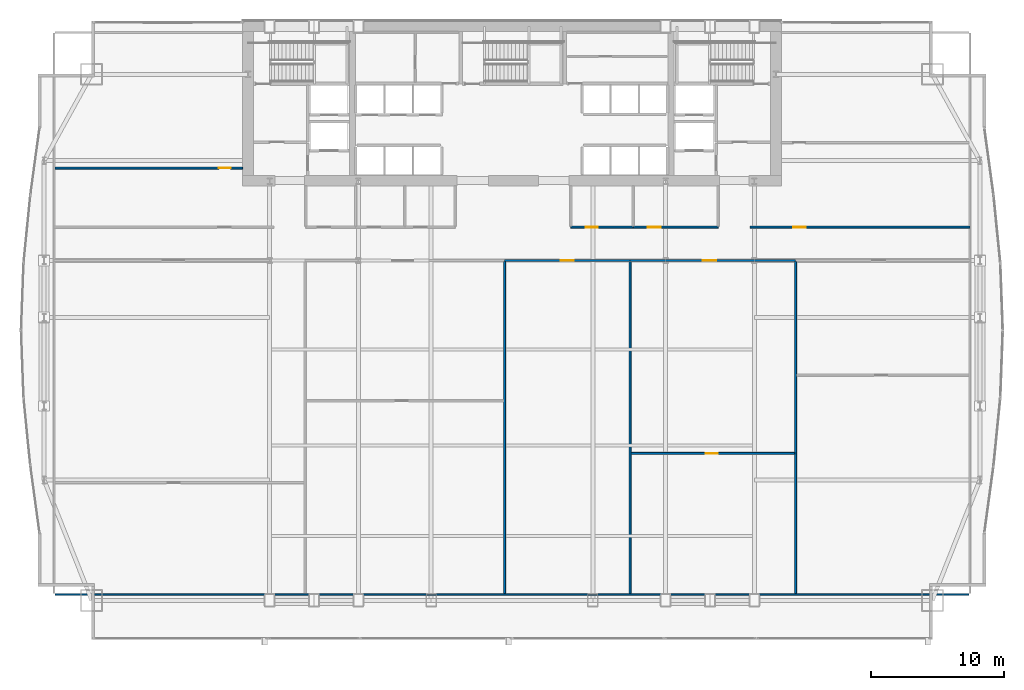
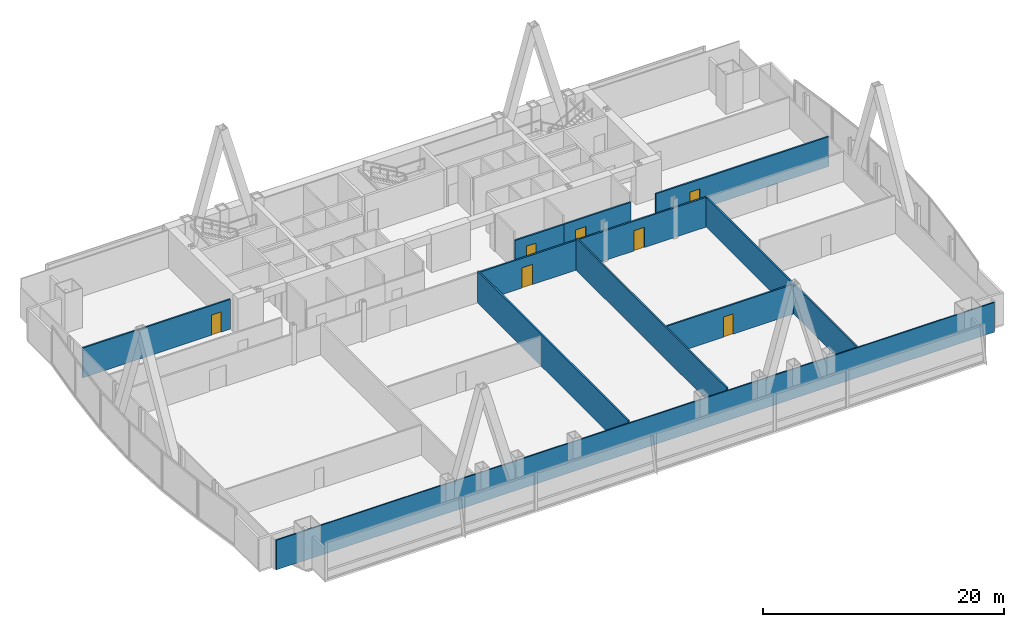
# One storey, part 29 of 35: 11 walls, 7 doors, 7 openings.
"""IFC4 building model written with IfcOpenShell, lengths in metres."""

from ifc_helpers import new_model, si_unit, direction, frame, frame_2d, origin, place, context, subcontext, project, spatial, rectangle, extrude, material, layer, layer_set, type_object, element, fill, save


model = new_model("IFC4")

# Units and contexts
model_context = context("Model", 3, precision=1e-05, world=origin(), true_north=direction((0.0, 1.0)))
body_context = subcontext(model_context, "Body", "Model", "MODEL_VIEW")
ifc_project = project(units=[si_unit("LENGTHUNIT", "METRE"), si_unit("AREAUNIT", "SQUARE_METRE"), si_unit("VOLUMEUNIT", "CUBIC_METRE"), si_unit("PLANEANGLEUNIT", "RADIAN"), si_unit("MASSUNIT", "GRAM", prefix="KILO")], contexts=[model_context])

# Site, building, storey
site_placement = place(None, origin())
site = spatial("IfcSite", under=ifc_project, at=site_placement, CompositionType="ELEMENT")
building_placement = place(site_placement, origin())
building = spatial("IfcBuilding", under=site, at=building_placement, Name="Khoronbel Lancet Exchange", CompositionType="ELEMENT")
storey_placement = place(building_placement, frame((0.0, 0.0, 37.800048828125)))
storey = spatial("IfcBuildingStorey", under=building, at=storey_placement, Name="L08", CompositionType="ELEMENT", Elevation=37.800048828125)

# Wall, opening, door
ifc_material_1 = material(Name="Acoustic Metal-Stud & Mineral-Wool Gypsum Partition 120 mm", Category="gypsum")
ifc_layer_1 = layer(ifc_material_1, 0.1201171875, Name="Acoustic Metal-Stud & Mineral-Wool Gypsum Partition 120 mm")
ifc_layer_set_1 = layer_set([ifc_layer_1], Name="Acoustic Metal-Stud & Mineral-Wool Gypsum Partition 120 mm")
wall_type_1 = type_object("IfcWallType", Name="WL-PRT120", PredefinedType="PARTITIONING", material=ifc_layer_set_1)
wall_1_placement = place(storey_placement, frame((2.094970703125, 42.64990234375, 0.0), z_axis=(0.0, 0.0, 1.0), x_axis=(1.0, 0.0, 0.0)))
wall_1 = element("IfcWall", 1, at=wall_1_placement, inside=storey, type_object=wall_type_1, Name="Level L08 interior partition PW-NW-H", PredefinedType="PARTITIONING", context=body_context, shape_type="SweptSolid", body=[
    extrude(rectangle(XDim=14.10498046875, YDim=0.14990234375, at=frame_2d((7.052490234375, 0.0))), origin(), (0.0, 0.0, 1.0), 3.010009765625),
])
opening_1_placement = place(wall_1_placement, frame((12.320068359375, 0.0, 0.0)))
opening_1 = element("IfcOpeningElement", 2, at=opening_1_placement, cuts=wall_1, Name="Opening D5", PredefinedType="OPENING", context=body_context, shape_type="SweptSolid", body=[
    extrude(rectangle(XDim=0.89990234375, YDim=2.050048828125, at=frame_2d((0.449951171875, 1.02490234375))), frame((0.0, 0.0849609375, 0.0), z_axis=(0.0, -1.0, 0.0), x_axis=(1.0, 0.0, 0.0)), (0.0, 0.0, 1.0), 0.169921875),
])
ifc_material_2 = material(Name="Acoustic Timber Pantry & Support Door", Category="wood")
door_type_1 = type_object("IfcDoorType", Name="DR-D5", OperationType="NOTDEFINED", PredefinedType="DOOR", material=ifc_material_2)
door_1_placement = place(opening_1_placement, origin())
door_1 = element("IfcDoor", 3, at=door_1_placement, inside=storey, type_object=door_type_1, Name="NW north room door L08-1", OperationType="SINGLE_SWING_RIGHT", OverallHeight=2.050048828125, OverallWidth=0.89990234375, PredefinedType="DOOR", context=body_context, shape_type="SweptSolid", body=[
    extrude(rectangle(XDim=0.89990234375, YDim=2.050048828125, at=frame_2d((0.449951171875, 1.02490234375))), frame((0.0, 0.02490234375, 0.0), z_axis=(0.0, -1.0, 0.0), x_axis=(1.0, 0.0, 0.0)), (0.0, 0.0, 1.0), 0.050048828125),
])
fill(opening_1, door_1)

wall_2_placement = place(storey_placement, frame((45.402099609375, 21.19580078125, 0.0), z_axis=(0.0, 0.0, 1.0), x_axis=(1.0, 0.0, 0.0)))
wall_2 = element("IfcWall", 4, at=wall_2_placement, inside=storey, type_object=wall_type_1, Name="Level L08 interior partition PW-Z1S-H4", PredefinedType="PARTITIONING", context=body_context, shape_type="SweptSolid", body=[
    extrude(rectangle(XDim=12.2900390625, YDim=0.14990234375, at=frame_2d((6.14501953125, 0.0))), origin(), (0.0, 0.0, 1.0), 3.010009765625),
])
opening_2_placement = place(wall_2_placement, frame((5.6025390625, 0.0, 0.0)))
opening_2 = element("IfcOpeningElement", 5, at=opening_2_placement, cuts=wall_2, Name="Opening D5", PredefinedType="OPENING", context=body_context, shape_type="SweptSolid", body=[
    extrude(rectangle(XDim=0.89990234375, YDim=2.050048828125, at=frame_2d((0.449951171875, 1.02490234375))), frame((0.0, 0.0849609375, 0.0), z_axis=(0.0, -1.0, 0.0), x_axis=(1.0, 0.0, 0.0)), (0.0, 0.0, 1.0), 0.169921875),
])
door_2_placement = place(opening_2_placement, origin())
door_2 = element("IfcDoor", 6, at=door_2_placement, inside=storey, type_object=door_type_1, Name="Z1S inner door 4 L08-1", OperationType="SINGLE_SWING_RIGHT", OverallHeight=2.050048828125, OverallWidth=0.89990234375, PredefinedType="DOOR", context=body_context, shape_type="SweptSolid", body=[
    extrude(rectangle(XDim=0.89990234375, YDim=2.050048828125, at=frame_2d((0.449951171875, 1.02490234375))), frame((0.0, 0.02490234375, 0.0), z_axis=(0.0, -1.0, 0.0), x_axis=(1.0, 0.0, 0.0)), (0.0, 0.0, 1.0), 0.050048828125),
])
fill(opening_2, door_2)

# Wall
wall_3_placement = place(storey_placement, frame((2.094970703125, 10.60009765625, 0.0), z_axis=(0.0, 0.0, 1.0), x_axis=(1.0, 0.0, 0.0)))
element("IfcWall", 7, at=wall_3_placement, inside=storey, type_object=wall_type_1, Name="Level L08 interior partition PW-LIN-S", PredefinedType="PARTITIONING", context=body_context, shape_type="SweptSolid", body=[
    extrude(rectangle(XDim=68.7099609375, YDim=0.1201171875, at=frame_2d((34.35498046875, 0.0))), origin(), (0.0, 0.0, 1.0), 3.010009765625),
])

# Wall, opening, door
ifc_material_3 = material(Name="Fire-Rated Twin-Stud Acoustic Gypsum Partition 150 mm", Category="gypsum")
ifc_layer_2 = layer(ifc_material_3, 0.14990234375, Name="Fire-Rated Twin-Stud Acoustic Gypsum Partition 150 mm")
ifc_layer_set_2 = layer_set([ifc_layer_2], Name="Fire-Rated Twin-Stud Acoustic Gypsum Partition 150 mm")
wall_type_2 = type_object("IfcWallType", Name="WL-PRT150C", PredefinedType="PARTITIONING", material=ifc_layer_set_2)
wall_4_placement = place(storey_placement, frame((40.8798828125, 38.199951171875, 0.0), z_axis=(0.0, 0.0, 1.0), x_axis=(1.0, 0.0, 0.0)))
wall_4 = element("IfcWall", 8, at=wall_4_placement, inside=storey, type_object=wall_type_2, Name="Level L08 interior partition PW-NP-S1", PredefinedType="PARTITIONING", context=body_context, shape_type="SweptSolid", body=[
    extrude(rectangle(XDim=4.670166015625, YDim=0.14990234375, at=frame_2d((2.3349609375, 0.0))), origin(), (0.0, 0.0, 1.0), 3.010009765625),
])
opening_3_placement = place(wall_4_placement, frame((1.10009765625, 0.0, 0.0)))
opening_3 = element("IfcOpeningElement", 9, at=opening_3_placement, cuts=wall_4, Name="Opening D5", PredefinedType="OPENING", context=body_context, shape_type="SweptSolid", body=[
    extrude(rectangle(XDim=0.89990234375, YDim=2.050048828125, at=frame_2d((0.449951171875, 1.02490234375))), frame((0.0, 0.0849609375, 0.0), z_axis=(0.0, -1.0, 0.0), x_axis=(1.0, 0.0, 0.0)), (0.0, 0.0, 1.0), 0.169921875),
])
door_3_placement = place(opening_3_placement, origin())
door_3 = element("IfcDoor", 10, at=door_3_placement, inside=storey, type_object=door_type_1, Name="Floor refreshment pantry door L08-1", OperationType="SINGLE_SWING_RIGHT", OverallHeight=2.050048828125, OverallWidth=0.89990234375, PredefinedType="DOOR", context=body_context, shape_type="SweptSolid", body=[
    extrude(rectangle(XDim=0.89990234375, YDim=2.050048828125, at=frame_2d((0.449951171875, 1.02490234375))), frame((0.0, 0.02490234375, 0.0), z_axis=(0.0, -1.0, 0.0), x_axis=(1.0, 0.0, 0.0)), (0.0, 0.0, 1.0), 0.050048828125),
])
fill(opening_3, door_3)

wall_5_placement = place(storey_placement, frame((45.550048828125, 38.199951171875, 0.0), z_axis=(0.0, 0.0, 1.0), x_axis=(1.0, 0.0, 0.0)))
wall_5 = element("IfcWall", 11, at=wall_5_placement, inside=storey, type_object=wall_type_2, Name="Level L08 interior partition PW-NP-S2", PredefinedType="PARTITIONING", context=body_context, shape_type="SweptSolid", body=[
    extrude(rectangle(XDim=6.39990234375, YDim=0.14990234375, at=frame_2d((3.199951171875, 0.0))), origin(), (0.0, 0.0, 1.0), 3.010009765625),
])
opening_4_placement = place(wall_5_placement, frame((1.10009765625, 0.0, 0.0)))
opening_4 = element("IfcOpeningElement", 12, at=opening_4_placement, cuts=wall_5, Name="Opening D2", PredefinedType="OPENING", context=body_context, shape_type="SweptSolid", body=[
    extrude(rectangle(XDim=1.0, YDim=2.050048828125, at=frame_2d((0.5, 1.02490234375))), frame((0.0, 0.0849609375, 0.0), z_axis=(0.0, -1.0, 0.0), x_axis=(1.0, 0.0, 0.0)), (0.0, 0.0, 1.0), 0.169921875),
])
ifc_material_4 = material(Name="Acoustic Veneered Timber & Bronze Frame Door", Category="wood")
door_type_2 = type_object("IfcDoorType", Name="DR-D2", OperationType="NOTDEFINED", PredefinedType="DOOR", material=ifc_material_4)
door_4_placement = place(opening_4_placement, origin())
door_4 = element("IfcDoor", 13, at=door_4_placement, inside=storey, type_object=door_type_2, Name="Floor store door L08-1", OperationType="SINGLE_SWING_LEFT", OverallHeight=2.050048828125, OverallWidth=1.0, PredefinedType="DOOR", context=body_context, shape_type="SweptSolid", body=[
    extrude(rectangle(XDim=1.0, YDim=2.050048828125, at=frame_2d((0.5, 1.02490234375))), frame((0.0, 0.02490234375, 0.0), z_axis=(0.0, -1.0, 0.0), x_axis=(1.0, 0.0, 0.0)), (0.0, 0.0, 1.0), 0.050048828125),
])
fill(opening_4, door_4)

wall_6_placement = place(storey_placement, frame((54.35009765625, 38.199951171875, 0.0), z_axis=(0.0, 0.0, 1.0), x_axis=(1.0, 0.0, 0.0)))
wall_6 = element("IfcWall", 14, at=wall_6_placement, inside=storey, type_object=wall_type_2, Name="Level L08 interior partition PW-NE-S", PredefinedType="PARTITIONING", context=body_context, shape_type="SweptSolid", body=[
    extrude(rectangle(XDim=16.52001953125, YDim=0.14990234375, at=frame_2d((8.260009765625, 0.0))), origin(), (0.0, 0.0, 1.0), 3.010009765625),
])
opening_5_placement = place(wall_6_placement, frame((3.25, 0.0, 0.0)))
opening_5 = element("IfcOpeningElement", 15, at=opening_5_placement, cuts=wall_6, Name="Opening D1", PredefinedType="OPENING", context=body_context, shape_type="SweptSolid", body=[
    extrude(rectangle(XDim=0.949951171875, YDim=2.050048828125, at=frame_2d((0.47509765625, 1.02490234375))), frame((0.0, 0.0849609375, 0.0), z_axis=(0.0, -1.0, 0.0), x_axis=(1.0, 0.0, 0.0)), (0.0, 0.0, 1.0), 0.169921875),
])
door_type_3 = type_object("IfcDoorType", Name="DR-D1", OperationType="NOTDEFINED", PredefinedType="DOOR", material=ifc_material_4)
door_5_placement = place(opening_5_placement, origin())
door_5 = element("IfcDoor", 16, at=door_5_placement, inside=storey, type_object=door_type_3, Name="NE corner room door L08-1", OperationType="SINGLE_SWING_LEFT", OverallHeight=2.050048828125, OverallWidth=0.949951171875, PredefinedType="DOOR", context=body_context, shape_type="SweptSolid", body=[
    extrude(rectangle(XDim=0.949951171875, YDim=2.050048828125, at=frame_2d((0.47509765625, 1.02490234375))), frame((0.0, 0.02490234375, 0.0), z_axis=(0.0, -1.0, 0.0), x_axis=(1.0, 0.0, 0.0)), (0.0, 0.0, 1.0), 0.050048828125),
])
fill(opening_5, door_5)

# Walls
for number, where, z_axis, x_axis, name in (
    (17, (35.8916015625, 10.6650390625, 0.0), (0.0, 0.0, 1.0), (0.0, 1.0, 0.0), "Level L08 interior partition PW-Z1S-V2"),
    (18, (45.322021484375, 10.6650390625, 0.0), (0.0, 0.0, 1.0), (0.0, 1.0, 0.0), "Level L08 interior partition PW-Z1S-V3"),
):
    element("IfcWall", number, at=place(storey_placement, frame(where, z_axis=z_axis, x_axis=x_axis)), inside=storey, type_object=wall_type_2, Name=name, PredefinedType="PARTITIONING", context=body_context, shape_type="SweptSolid", body=[
        extrude(rectangle(XDim=24.949951171875, YDim=0.14990234375, at=frame_2d((12.47509765625, 0.0))), origin(), (0.0, 0.0, 1.0), 3.2099609375),
    ])
wall_7_placement = place(storey_placement, frame((57.772216796875, 10.6650390625, 0.0), z_axis=(0.0, 0.0, 1.0), x_axis=(0.0, 1.0, 0.0)))
element("IfcWall", 19, at=wall_7_placement, inside=storey, type_object=wall_type_2, Name="Level L08 interior partition PW-Z1S-V4", PredefinedType="PARTITIONING", context=body_context, shape_type="SweptSolid", body=[
    extrude(rectangle(XDim=24.949951171875, YDim=0.14990234375, at=frame_2d((12.47509765625, 0.0))), origin(), (0.0, 0.0, 1.0), 3.010009765625),
])

# Wall, opening, door
ifc_material_5 = material(Name="Fire-Rated Twin-Stud Acoustic Gypsum Partition 160 mm", Category="gypsum")
ifc_layer_3 = layer(ifc_material_5, 0.159912109375, Name="Fire-Rated Twin-Stud Acoustic Gypsum Partition 160 mm")
ifc_layer_set_3 = layer_set([ifc_layer_3], Name="Fire-Rated Twin-Stud Acoustic Gypsum Partition 160 mm")
wall_type_3 = type_object("IfcWallType", Name="WL-PRT160C", PredefinedType="PARTITIONING", material=ifc_layer_set_3)
wall_8_placement = place(storey_placement, frame((35.8916015625, 35.699951171875, 0.0), z_axis=(0.0, 0.0, 1.0), x_axis=(1.0, 0.0, 0.0)))
wall_8 = element("IfcWall", 20, at=wall_8_placement, inside=storey, type_object=wall_type_3, Name="Level L08 interior partition PW-Z1S-COR3", PredefinedType="PARTITIONING", context=body_context, shape_type="SweptSolid", body=[
    extrude(rectangle(XDim=9.430419921875, YDim=0.159912109375, at=frame_2d((4.71533203125, 0.0))), origin(), (0.0, 0.0, 1.0), 3.010009765625),
])
opening_6_placement = place(wall_8_placement, frame((4.210693359375, 0.0, 0.0)))
opening_6 = element("IfcOpeningElement", 21, at=opening_6_placement, cuts=wall_8, Name="Opening D2", PredefinedType="OPENING", context=body_context, shape_type="SweptSolid", body=[
    extrude(rectangle(XDim=1.0, YDim=2.050048828125, at=frame_2d((0.5, 1.02490234375))), frame((0.0, 0.08984375, 0.0), z_axis=(0.0, -1.0, 0.0), x_axis=(1.0, 0.0, 0.0)), (0.0, 0.0, 1.0), 0.179931640625),
])
door_6_placement = place(opening_6_placement, origin())
door_6 = element("IfcDoor", 22, at=door_6_placement, inside=storey, type_object=door_type_2, Name="Z1S bay 3 door L08-1", OperationType="SINGLE_SWING_RIGHT", OverallHeight=2.050048828125, OverallWidth=1.0, PredefinedType="DOOR", context=body_context, shape_type="SweptSolid", body=[
    extrude(rectangle(XDim=1.0, YDim=2.050048828125, at=frame_2d((0.5, 1.02490234375))), frame((0.0, 0.02490234375, 0.0), z_axis=(0.0, -1.0, 0.0), x_axis=(1.0, 0.0, 0.0)), (0.0, 0.0, 1.0), 0.050048828125),
])
fill(opening_6, door_6)

wall_9_placement = place(storey_placement, frame((45.322021484375, 35.699951171875, 0.0), z_axis=(0.0, 0.0, 1.0), x_axis=(1.0, 0.0, 0.0)))
wall_9 = element("IfcWall", 23, at=wall_9_placement, inside=storey, type_object=wall_type_3, Name="Level L08 interior partition PW-Z1S-COR4", PredefinedType="PARTITIONING", context=body_context, shape_type="SweptSolid", body=[
    extrude(rectangle(XDim=12.4501953125, YDim=0.159912109375, at=frame_2d((6.22509765625, 0.0))), origin(), (0.0, 0.0, 1.0), 3.010009765625),
])
opening_7_placement = place(wall_9_placement, frame((5.47900390625, 0.0, 0.0)))
opening_7 = element("IfcOpeningElement", 24, at=opening_7_placement, cuts=wall_9, Name="Opening D2", PredefinedType="OPENING", context=body_context, shape_type="SweptSolid", body=[
    extrude(rectangle(XDim=1.0, YDim=2.050048828125, at=frame_2d((0.5, 1.02490234375))), frame((0.0, 0.08984375, 0.0), z_axis=(0.0, -1.0, 0.0), x_axis=(1.0, 0.0, 0.0)), (0.0, 0.0, 1.0), 0.179931640625),
])
door_7_placement = place(opening_7_placement, origin())
door_7 = element("IfcDoor", 25, at=door_7_placement, inside=storey, type_object=door_type_2, Name="Z1S bay 4 door L08-1", OperationType="SINGLE_SWING_LEFT", OverallHeight=2.050048828125, OverallWidth=1.0, PredefinedType="DOOR", context=body_context, shape_type="SweptSolid", body=[
    extrude(rectangle(XDim=1.0, YDim=2.050048828125, at=frame_2d((0.5, 1.02490234375))), frame((0.0, 0.02490234375, 0.0), z_axis=(0.0, -1.0, 0.0), x_axis=(1.0, 0.0, 0.0)), (0.0, 0.0, 1.0), 0.050048828125),
])
fill(opening_7, door_7)

save(model, "model.ifc")
